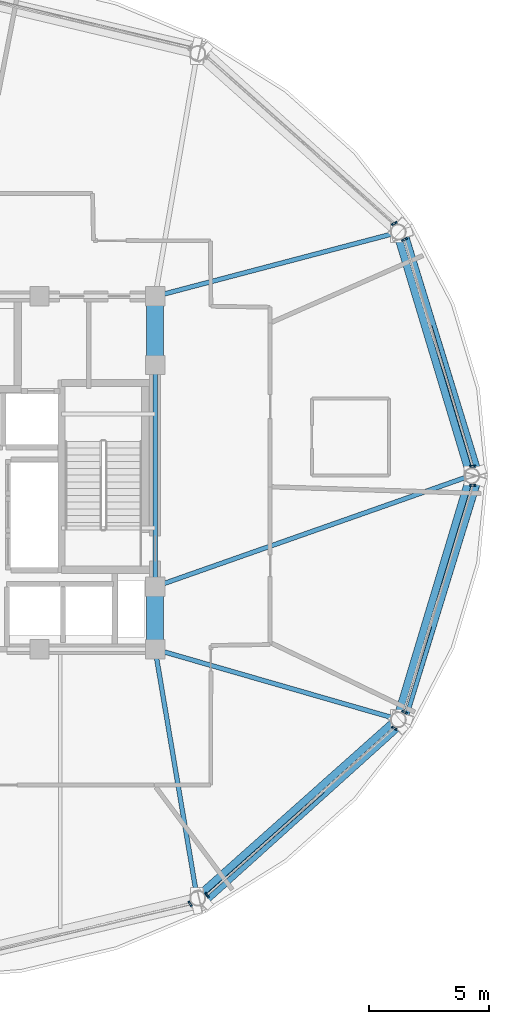
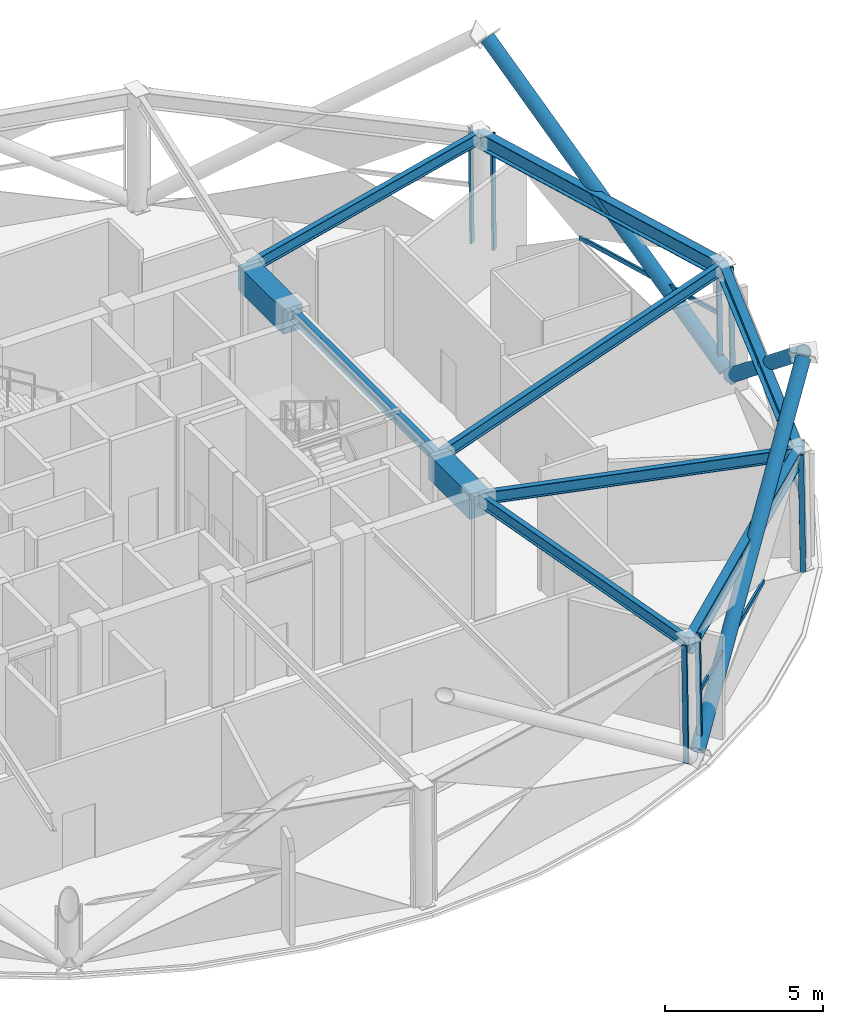
# One storey, part 5 of 16: 14 members, 10 beams, 5 elements without a shape of their own.
"""IFC4 building model written with IfcOpenShell, lengths in metres."""

from ifc_helpers import new_model, si_unit, direction, frame, origin, origin_2d, place, context, subcontext, project, spatial, rectangle, hollow_rectangle, hollow_circle, i_section, extrude, material, layer, layer_set, material_profile, profile_set, type_object, element, aggregate, save


model = new_model("IFC4")

# Units and contexts
model_context = context("Model", 3, precision=1e-05, world=origin(), true_north=direction((0.0, 1.0)))
body_context = subcontext(model_context, "Body", "Model", "MODEL_VIEW")
ifc_project = project(units=[si_unit("LENGTHUNIT", "METRE"), si_unit("AREAUNIT", "SQUARE_METRE"), si_unit("VOLUMEUNIT", "CUBIC_METRE"), si_unit("PLANEANGLEUNIT", "RADIAN"), si_unit("MASSUNIT", "GRAM", prefix="KILO")], contexts=[model_context])

# Site, building, storey
site_placement = place(None, origin())
site = spatial("IfcSite", under=ifc_project, at=site_placement, CompositionType="ELEMENT")
building_placement = place(site_placement, origin())
building = spatial("IfcBuilding", under=site, at=building_placement, Name="Vantalir Tower", CompositionType="ELEMENT")
storey_placement = place(building_placement, frame((0.0, 0.0, 181.35009765625)))
storey = spatial("IfcBuildingStorey", under=building, at=storey_placement, Name="L45", CompositionType="ELEMENT", Elevation=181.35009765625)

# Beams
ifc_material_1 = material(Name="Concrete C60/75", Category="concrete")
ifc_material_profile_1 = material_profile(ifc_material_1, rectangle(XDim=0.699951171875, YDim=0.949951171875, at=origin_2d()), Name="Concrete C60/75")
ifc_profile_set_1 = profile_set([ifc_material_profile_1], Name="Concrete C60/75")
beam_type_1 = type_object("IfcBeamType", Name="BM-CB-700x950", PredefinedType="USERDEFINED", material=ifc_profile_set_1)
beam_1_placement = place(storey_placement, frame((41.10009765625, 17.800048828125, 4.14501953125), z_axis=(0.0, 1.0, 0.0), x_axis=(-1.0, 0.0, 0.0)))
element("IfcBeam", 1, at=beam_1_placement, inside=storey, type_object=beam_type_1, Name="L45 Core Coupling Girder 05", ObjectType="GIRDER", PredefinedType="USERDEFINED", context=body_context, shape_type="SweptSolid", body=[
    extrude(rectangle(XDim=0.699951171875, YDim=0.949951171875, at=origin_2d()), origin(), (0.0, 0.0, 1.0), 2.599853515625),
])
beam_2_placement = place(storey_placement, frame((41.10009765625, 29.60009765625, 4.14501953125), z_axis=(0.0, 1.0, 0.0), x_axis=(-1.0, 0.0, 0.0)))
element("IfcBeam", 2, at=beam_2_placement, inside=storey, type_object=beam_type_1, Name="L45 Core Coupling Girder 07", ObjectType="GIRDER", PredefinedType="USERDEFINED", context=body_context, shape_type="SweptSolid", body=[
    extrude(rectangle(XDim=0.699951171875, YDim=0.949951171875, at=origin_2d()), origin(), (0.0, 0.0, 1.0), 2.849853515625),
])
ifc_material_2 = material(Name="Steel S355", Category="steel")
ifc_material_profile_2 = material_profile(ifc_material_2, i_section(OverallWidth=0.19189453125, OverallDepth=0.462890625, WebThickness=0.010498046875, FlangeThickness=0.017578125, at=origin_2d()), Name="Steel S355")
ifc_profile_set_2 = profile_set([ifc_material_profile_2], Name="Steel S355")
beam_type_2 = type_object("IfcBeamType", Name="BM-RB-457x191", PredefinedType="BEAM", material=ifc_profile_set_2)
beam_3_placement = place(storey_placement, frame((41.10009765625, 20.39990234375, 4.387939453125), z_axis=(0.0, 1.0, 0.0), x_axis=(-1.0, 0.0, 0.0)))
element("IfcBeam", 3, at=beam_3_placement, inside=storey, type_object=beam_type_2, Name="L45 Core Coupling Girder 06", PredefinedType="BEAM", context=body_context, shape_type="SweptSolid", body=[
    extrude(i_section(OverallWidth=0.19189453125, OverallDepth=0.462890625, WebThickness=0.010498046875, FlangeThickness=0.017578125, at=origin_2d()), origin(), (0.0, 0.0, 1.0), 9.2001953125),
])
beam_4_placement = place(storey_placement, frame((54.176025390625, 25.0, 4.387939453125), z_axis=(-0.943328014031, -0.331861805492, 0.0), x_axis=(0.331861805492, -0.943328014031, 0.0)))
element("IfcBeam", 4, at=beam_4_placement, inside=storey, type_object=beam_type_2, Name="L45 Radial Floor Beam 01", PredefinedType="BEAM", context=body_context, shape_type="SweptSolid", body=[
    extrude(i_section(OverallWidth=0.19189453125, OverallDepth=0.462890625, WebThickness=0.010498046875, FlangeThickness=0.017578125, at=origin_2d()), origin(), (0.0, 0.0, 1.0), 13.861572265625),
])
beam_5_placement = place(storey_placement, frame((51.137939453125, 35.093994140625, 4.387939453125), z_axis=(-0.967015102182, -0.254719045522, 0.0), x_axis=(0.254719045522, -0.967015102182, 0.0)))
element("IfcBeam", 5, at=beam_5_placement, inside=storey, type_object=beam_type_2, Name="L45 Radial Floor Beam 02", PredefinedType="BEAM", context=body_context, shape_type="SweptSolid", body=[
    extrude(i_section(OverallWidth=0.19189453125, OverallDepth=0.462890625, WebThickness=0.010498046875, FlangeThickness=0.017578125, at=origin_2d()), origin(), (0.0, 0.0, 1.0), 10.380126953125),
])
beam_6_placement = place(storey_placement, frame((42.837890625, 7.51708984375, 4.387939453125), z_axis=(-0.166634565595, 0.986018722717, 0.0), x_axis=(-0.986018722717, -0.166634565595, 0.0)))
element("IfcBeam", 6, at=beam_6_placement, inside=storey, type_object=beam_type_2, Name="L45 Radial Floor Beam 11", PredefinedType="BEAM", context=body_context, shape_type="SweptSolid", body=[
    extrude(i_section(OverallWidth=0.19189453125, OverallDepth=0.462890625, WebThickness=0.010498046875, FlangeThickness=0.017578125, at=origin_2d()), origin(), (0.0, 0.0, 1.0), 10.4287109375),
])
beam_7_placement = place(storey_placement, frame((51.137939453125, 14.906005859375, 4.387939453125), z_axis=(-0.960861521684, 0.277029125089, 0.0), x_axis=(-0.277029125089, -0.960861521684, 0.0)))
element("IfcBeam", 7, at=beam_7_placement, inside=storey, type_object=beam_type_2, Name="L45 Radial Floor Beam 12", PredefinedType="BEAM", context=body_context, shape_type="SweptSolid", body=[
    extrude(i_section(OverallWidth=0.19189453125, OverallDepth=0.462890625, WebThickness=0.010498046875, FlangeThickness=0.017578125, at=origin_2d()), origin(), (0.0, 0.0, 1.0), 10.44677734375),
])
ifc_material_3 = material(Name="Steel S460", Category="steel")
ifc_material_profile_3 = material_profile(ifc_material_3, i_section(OverallWidth=0.306884765625, OverallDepth=0.6201171875, WebThickness=0.01416015625, FlangeThickness=0.023681640625, at=origin_2d()), Name="Steel S460")
ifc_profile_set_3 = profile_set([ifc_material_profile_3], Name="Steel S460")
beam_type_3 = type_object("IfcBeamType", Name="BM-RG-610x305", PredefinedType="USERDEFINED", material=ifc_profile_set_3)
beam_8_placement = place(storey_placement, frame((54.176025390625, 25.0, 4.309814453125), z_axis=(-0.288208317462, 0.957567734286, 0.0), x_axis=(-0.957567734286, -0.288208317462, 0.0)))
element("IfcBeam", 8, at=beam_8_placement, inside=storey, type_object=beam_type_3, Name="L45 Circumferential Ring Girder 01", ObjectType="GIRDER", PredefinedType="USERDEFINED", context=body_context, shape_type="SweptSolid", body=[
    extrude(i_section(OverallWidth=0.306884765625, OverallDepth=0.6201171875, WebThickness=0.01416015625, FlangeThickness=0.023681640625, at=origin_2d()), origin(), (0.0, 0.0, 1.0), 10.541259765625),
])
beam_9_placement = place(storey_placement, frame((42.837890625, 7.51708984375, 4.309814453125), z_axis=(0.746913346666, 0.664921388265, 0.0), x_axis=(-0.664921388265, 0.746913346666, 0.0)))
element("IfcBeam", 9, at=beam_9_placement, inside=storey, type_object=beam_type_3, Name="L45 Circumferential Ring Girder 11", ObjectType="GIRDER", PredefinedType="USERDEFINED", context=body_context, shape_type="SweptSolid", body=[
    extrude(i_section(OverallWidth=0.306884765625, OverallDepth=0.6201171875, WebThickness=0.01416015625, FlangeThickness=0.023681640625, at=origin_2d()), origin(), (0.0, 0.0, 1.0), 11.112548828125),
])
beam_10_placement = place(storey_placement, frame((51.137939453125, 14.906005859375, 4.309814453125), z_axis=(0.288208317462, 0.957567734286, 0.0), x_axis=(-0.957567734286, 0.288208317462, 0.0)))
element("IfcBeam", 10, at=beam_10_placement, inside=storey, type_object=beam_type_3, Name="L45 Circumferential Ring Girder 12", ObjectType="GIRDER", PredefinedType="USERDEFINED", context=body_context, shape_type="SweptSolid", body=[
    extrude(i_section(OverallWidth=0.306884765625, OverallDepth=0.6201171875, WebThickness=0.01416015625, FlangeThickness=0.023681640625, at=origin_2d()), origin(), (0.0, 0.0, 1.0), 10.541259765625),
])

# Curtain wall, members
ifc_material_4 = material(Name="Champagne-silver PVDF aluminium and double-silver Low-E glass", Category="aluminium")
ifc_layer = layer(ifc_material_4, 0.22998046875)
ifc_layer_set = layer_set([ifc_layer], Name="Champagne-silver PVDF aluminium and double-silver Low-E glass")
curtain_wall_type = type_object("IfcCurtainWallType", Name="CW-SKYLOBBY", PredefinedType="USERDEFINED", material=ifc_layer_set)
curtain_wall_1_placement = place(storey_placement, origin())
curtain_wall_1 = element("IfcCurtainWall", 11, at=curtain_wall_1_placement, inside=storey, type_object=curtain_wall_type, Name="L45 Quilted Pyramid-Diamond Curtain Wall S01", ObjectType="UNITISED CURTAIN WALL", PredefinedType="USERDEFINED")
ifc_material_5 = material(Name="Champagne-silver PVDF aluminium 6063-T6", Category="aluminium")
ifc_material_profile_4 = material_profile(ifc_material_5, hollow_rectangle(XDim=0.074951171875, YDim=0.179931640625, WallThickness=0.00390625, at=origin_2d()), Name="Champagne-silver PVDF aluminium 6063-T6")
ifc_profile_set_4 = profile_set([ifc_material_profile_4], Name="Champagne-silver PVDF aluminium 6063-T6")
member_type_1 = type_object("IfcMemberType", Name="CWM-180x75", PredefinedType="MULLION", material=ifc_profile_set_4)
member_1_placement = place(storey_placement, frame((54.322021484375, 25.39306640625, 0.044921875), z_axis=(-0.016327653386, 0.0, 0.999866694982), x_axis=(0.0, -1.0, 0.0)))
member_1 = element("IfcMember", 12, at=member_1_placement, type_object=member_type_1, Name="CW-L45-S01 Mullion 1", PredefinedType="MULLION", context=body_context, shape_type="SweptSolid", body=[
    extrude(hollow_rectangle(XDim=0.074951171875, YDim=0.179931640625, WallThickness=0.00390625, at=origin_2d()), origin(), (0.0, 0.0, 1.0), 4.530517578125),
])
member_2_placement = place(storey_placement, frame((51.485107421875, 34.8291015625, 0.044921875), z_axis=(-0.014172272862, -0.007328627792, 0.999872710847), x_axis=(0.459331035001, -0.888265163273, 0.0)))
member_2 = element("IfcMember", 13, at=member_2_placement, type_object=member_type_1, Name="CW-L45-S01 Mullion 2", PredefinedType="MULLION", context=body_context, shape_type="SweptSolid", body=[
    extrude(hollow_rectangle(XDim=0.074951171875, YDim=0.179931640625, WallThickness=0.00390625, at=origin_2d()), origin(), (0.0, 0.0, 1.0), 4.530517578125),
])

# Curtain wall, member
curtain_wall_2_placement = place(storey_placement, origin())
curtain_wall_2 = element("IfcCurtainWall", 14, at=curtain_wall_2_placement, inside=storey, type_object=curtain_wall_type, Name="L45 Quilted Pyramid-Diamond Curtain Wall S02", ObjectType="UNITISED CURTAIN WALL", PredefinedType="USERDEFINED")
member_3_placement = place(storey_placement, frame((51.06103515625, 35.4951171875, 0.044921875), z_axis=(-0.014118396655, -0.007328633378, 0.999873473), x_axis=(0.460712643136, -0.88754935663, 0.0)))
member_3 = element("IfcMember", 15, at=member_3_placement, type_object=member_type_1, Name="CW-L45-S02 Mullion 1", PredefinedType="MULLION", context=body_context, shape_type="SweptSolid", body=[
    extrude(hollow_rectangle(XDim=0.074951171875, YDim=0.179931640625, WallThickness=0.00390625, at=origin_2d()), origin(), (0.0, 0.0, 1.0), 4.530517578125),
])
aggregate(curtain_wall_2, [member_3])

curtain_wall_3_placement = place(storey_placement, origin())
curtain_wall_3 = element("IfcCurtainWall", 16, at=curtain_wall_3_placement, inside=storey, type_object=curtain_wall_type, Name="L45 Quilted Pyramid-Diamond Curtain Wall S10", ObjectType="UNITISED CURTAIN WALL", PredefinedType="USERDEFINED")
member_4_placement = place(storey_placement, frame((42.571044921875, 7.199951171875, 0.044921875), z_axis=(-0.008190935903, 0.012609730271, 0.999886945245), x_axis=(-0.838607336961, -0.544736389821, 0.0)))
member_4 = element("IfcMember", 17, at=member_4_placement, type_object=member_type_1, Name="CW-L45-S10 Mullion 2", PredefinedType="MULLION", context=body_context, shape_type="SweptSolid", body=[
    extrude(hollow_rectangle(XDim=0.074951171875, YDim=0.179931640625, WallThickness=0.00390625, at=origin_2d()), origin(), (0.0, 0.0, 1.0), 4.530517578125),
])
aggregate(curtain_wall_3, [member_4])

# Curtain wall, members
curtain_wall_4_placement = place(storey_placement, origin())
curtain_wall_4 = element("IfcCurtainWall", 18, at=curtain_wall_4_placement, inside=storey, type_object=curtain_wall_type, Name="L45 Quilted Pyramid-Diamond Curtain Wall S11", ObjectType="UNITISED CURTAIN WALL", PredefinedType="USERDEFINED")
member_5_placement = place(storey_placement, frame((43.27587890625, 7.568115234375, 0.044921875), z_axis=(-0.008137057264, 0.012555856573, 0.999888063117), x_axis=(-0.839183426584, -0.543848486756, 0.0)))
member_5 = element("IfcMember", 19, at=member_5_placement, type_object=member_type_1, Name="CW-L45-S11 Mullion 1", PredefinedType="MULLION", context=body_context, shape_type="SweptSolid", body=[
    extrude(hollow_rectangle(XDim=0.074951171875, YDim=0.179931640625, WallThickness=0.00390625, at=origin_2d()), origin(), (0.0, 0.0, 1.0), 4.530517578125),
])
member_6_placement = place(storey_placement, frame((51.06103515625, 14.5048828125, 0.044921875), z_axis=(-0.014118396655, 0.007328633378, 0.999873473), x_axis=(-0.460712643136, -0.88754935663, 0.0)))
member_6 = element("IfcMember", 20, at=member_6_placement, type_object=member_type_1, Name="CW-L45-S11 Mullion 2", PredefinedType="MULLION", context=body_context, shape_type="SweptSolid", body=[
    extrude(hollow_rectangle(XDim=0.074951171875, YDim=0.179931640625, WallThickness=0.00390625, at=origin_2d()), origin(), (0.0, 0.0, 1.0), 4.530517578125),
])

curtain_wall_5_placement = place(storey_placement, origin())
curtain_wall_5 = element("IfcCurtainWall", 21, at=curtain_wall_5_placement, inside=storey, type_object=curtain_wall_type, Name="L45 Quilted Pyramid-Diamond Curtain Wall S12", ObjectType="UNITISED CURTAIN WALL", PredefinedType="USERDEFINED")
member_7_placement = place(storey_placement, frame((51.485107421875, 15.1708984375, 0.044921875), z_axis=(-0.014172272862, 0.007328627792, 0.999872710847), x_axis=(-0.459331035001, -0.888265163273, 0.0)))
member_7 = element("IfcMember", 22, at=member_7_placement, type_object=member_type_1, Name="CW-L45-S12 Mullion 1", PredefinedType="MULLION", context=body_context, shape_type="SweptSolid", body=[
    extrude(hollow_rectangle(XDim=0.074951171875, YDim=0.179931640625, WallThickness=0.00390625, at=origin_2d()), origin(), (0.0, 0.0, 1.0), 4.530517578125),
])
member_8_placement = place(storey_placement, frame((54.322021484375, 24.60693359375, 0.044921875), z_axis=(-0.016327653386, 0.0, 0.999866694982), x_axis=(0.0, -1.0, 0.0)))
member_8 = element("IfcMember", 23, at=member_8_placement, type_object=member_type_1, Name="CW-L45-S12 Mullion 2", PredefinedType="MULLION", context=body_context, shape_type="SweptSolid", body=[
    extrude(hollow_rectangle(XDim=0.074951171875, YDim=0.179931640625, WallThickness=0.00390625, at=origin_2d()), origin(), (0.0, 0.0, 1.0), 4.530517578125),
])

# Member
ifc_material_profile_5 = material_profile(ifc_material_5, hollow_rectangle(XDim=0.074951171875, YDim=0.159912109375, WallThickness=0.00390625, at=origin_2d()), Name="Champagne-silver PVDF aluminium 6063-T6")
ifc_profile_set_5 = profile_set([ifc_material_profile_5], Name="Champagne-silver PVDF aluminium 6063-T6")
member_type_2 = type_object("IfcMemberType", Name="CWT-160x75", PredefinedType="USERDEFINED", material=ifc_profile_set_5)
member_9_placement = place(storey_placement, frame((54.284912109375, 25.39306640625, 2.309814453125), z_axis=(-0.284161935028, 0.958776300646, 0.0), x_axis=(-0.958776300646, -0.284161935028, 0.0)))
member_9 = element("IfcMember", 24, at=member_9_placement, type_object=member_type_2, Name="CW-L45-S01 Pyramid Fold Ridge Transom", ObjectType="TRANSOM", PredefinedType="USERDEFINED", context=body_context, shape_type="SweptSolid", body=[
    extrude(hollow_rectangle(XDim=0.074951171875, YDim=0.159912109375, WallThickness=0.00390625, at=origin_2d()), origin(), (0.0, 0.0, 1.0), 6.098388671875),
])

aggregate(curtain_wall_1, [member_1, member_2, member_9])

member_10_placement = place(storey_placement, frame((43.258056640625, 7.595947265625, 2.309814453125), z_axis=(0.748977801243, 0.662595089965, 0.0), x_axis=(-0.662595089965, 0.748977801243, 0.0)))
member_10 = element("IfcMember", 25, at=member_10_placement, type_object=member_type_2, Name="CW-L45-S11 Pyramid Fold Ridge Transom", ObjectType="TRANSOM", PredefinedType="USERDEFINED", context=body_context, shape_type="SweptSolid", body=[
    extrude(hollow_rectangle(XDim=0.074951171875, YDim=0.159912109375, WallThickness=0.00390625, at=origin_2d()), origin(), (0.0, 0.0, 1.0), 6.4580078125),
])

aggregate(curtain_wall_4, [member_5, member_6, member_10])

member_11_placement = place(storey_placement, frame((51.452880859375, 15.18701171875, 2.309814453125), z_axis=(0.294021598133, 0.955798775806, 0.0), x_axis=(-0.955798775806, 0.294021598133, 0.0)))
member_11 = element("IfcMember", 26, at=member_11_placement, type_object=member_type_2, Name="CW-L45-S12 Pyramid Fold Ridge Transom", ObjectType="TRANSOM", PredefinedType="USERDEFINED", context=body_context, shape_type="SweptSolid", body=[
    extrude(hollow_rectangle(XDim=0.074951171875, YDim=0.159912109375, WallThickness=0.00390625, at=origin_2d()), origin(), (0.0, 0.0, 1.0), 3.73828125),
])

aggregate(curtain_wall_5, [member_7, member_8, member_11])

# Members
ifc_material_profile_6 = material_profile(ifc_material_3, hollow_circle(Radius=0.25, WallThickness=0.031982421875, at=origin_2d()), Name="Steel S460")
ifc_profile_set_6 = profile_set([ifc_material_profile_6], Name="Steel S460")
member_type_3 = type_object("IfcMemberType", Name="MEM-DB-500x32", PredefinedType="BRACE", material=ifc_profile_set_6)
for number, where, z_axis, x_axis, name in (
    (27, (54.388916015625, 25.1669921875, 0.2138671875), (-0.233172865304, 0.757159993634, 0.610196000419), (-0.955707824587, -0.294317097742, 0.0), "L45 Perimeter S460 Diagrid Brace R01L"),
    (28, (54.388916015625, 24.8330078125, 0.2138671875), (-0.233172865304, -0.757159993634, 0.610196000419), (0.955707824587, -0.294317097742, 0.0), "L45 Perimeter S460 Diagrid Brace R01R"),
):
    element("IfcMember", number, at=place(storey_placement, frame(where, z_axis=z_axis, x_axis=x_axis)), inside=storey, type_object=member_type_3, Name=name, PredefinedType="BRACE", context=body_context, shape_type="SweptSolid", body=[
        extrude(hollow_circle(Radius=0.25, WallThickness=0.031982421875, at=origin_2d()), origin(), (0.0, 0.0, 1.0), 13.015625),
    ])
member_12_placement = place(storey_placement, frame((43.10205078125, 7.4140625, 0.2099609375), z_axis=(0.599297851054, 0.540546715277, 0.590467047621), x_axis=(-0.669771199505, 0.742567532494, 0.0)))
element("IfcMember", 29, at=member_12_placement, inside=storey, type_object=member_type_3, Name="L45 Perimeter S460 Diagrid Brace R31L", PredefinedType="BRACE", context=body_context, shape_type="SweptSolid", body=[
    extrude(hollow_circle(Radius=0.25, WallThickness=0.031982421875, at=origin_2d()), origin(), (0.0, 0.0, 1.0), 13.4638671875),
])

save(model, "model.ifc")
